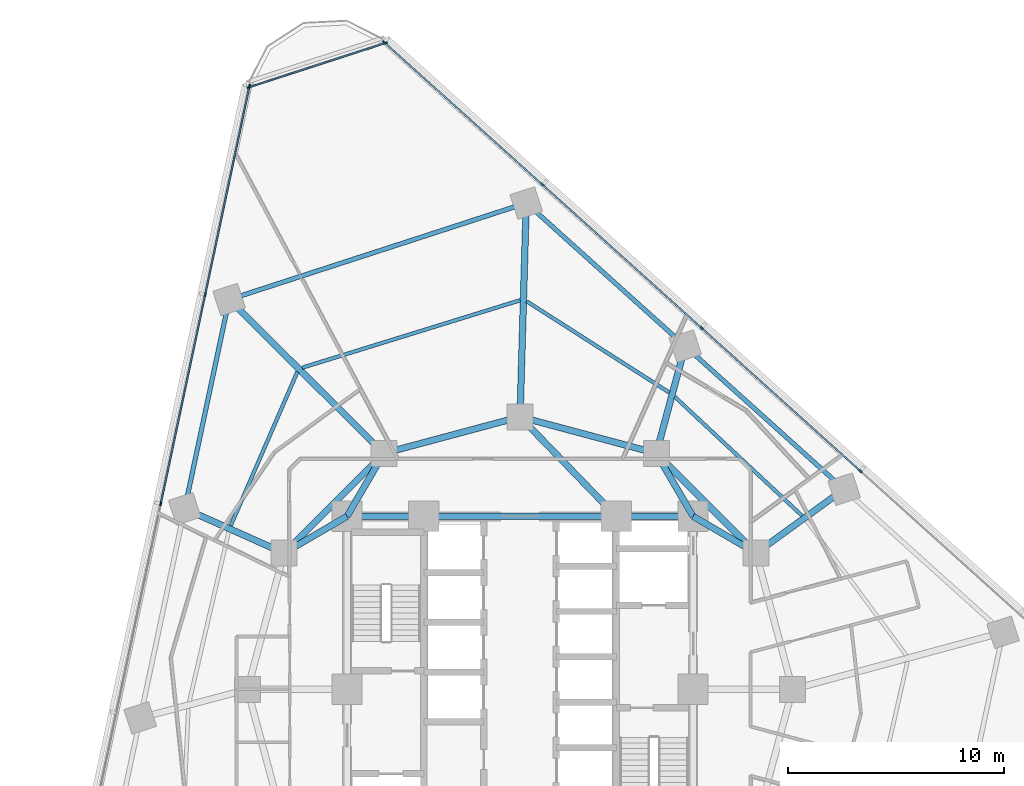
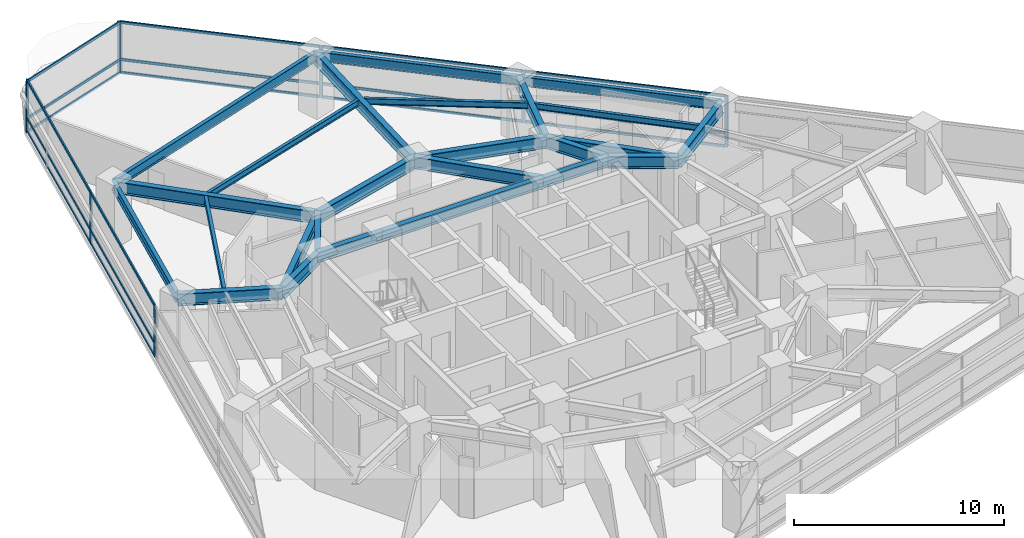
# One storey, part 5 of 13: 27 members, 25 beams, 3 elements without a shape of their own.
"""IFC4 building model written with IfcOpenShell, lengths in metres."""

from ifc_helpers import new_model, si_unit, direction, frame, origin, origin_2d, place, context, subcontext, project, spatial, rectangle, i_section, extrude, material, layer, layer_set, material_profile, profile_set, type_object, element, aggregate, save


model = new_model("IFC4")

# Units and contexts
model_context = context("Model", 3, precision=1e-05, world=origin(), true_north=direction((0.0, 1.0)))
body_context = subcontext(model_context, "Body", "Model", "MODEL_VIEW")
ifc_project = project(units=[si_unit("LENGTHUNIT", "METRE"), si_unit("AREAUNIT", "SQUARE_METRE"), si_unit("VOLUMEUNIT", "CUBIC_METRE"), si_unit("PLANEANGLEUNIT", "RADIAN"), si_unit("MASSUNIT", "GRAM", prefix="KILO")], contexts=[model_context])

# Site, building, storey
site_placement = place(None, origin())
site = spatial("IfcSite", under=ifc_project, at=site_placement, CompositionType="ELEMENT")
building_placement = place(site_placement, origin())
building = spatial("IfcBuilding", under=site, at=building_placement, Name="Terralouvre Media Tower", CompositionType="ELEMENT")
storey_placement = place(building_placement, frame((0.0, 0.0, 108.800048828125)))
storey = spatial("IfcBuildingStorey", under=building, at=storey_placement, Name="L27", CompositionType="ELEMENT", Elevation=108.800048828125)

# Beams
ifc_material_1 = material(Name="Structural steel S355J2", Category="steel")
ifc_material_profile_1 = material_profile(ifc_material_1, i_section(OverallWidth=0.169921875, OverallDepth=0.360107421875, WebThickness=0.008056640625, FlangeThickness=0.0126953125, at=origin_2d()), Name="IPE 360")
ifc_profile_set_1 = profile_set([ifc_material_profile_1], Name="Structural steel S355J2")
beam_type_1 = type_object("IfcBeamType", Name="Composite Floor Joist J-IPE360 (IPE 360)", PredefinedType="JOIST", material=ifc_profile_set_1)
beam_1_placement = place(storey_placement, frame((13.041259765625, 8.02685546875, 3.320068359375), z_axis=(-0.730741620607, 0.682654146631, 0.0), x_axis=(-0.682654146631, -0.730741620607, 0.0)))
element("IfcBeam", 1, at=beam_1_placement, inside=storey, type_object=beam_type_1, Name="L27 Framing Beam JT-L27-08", PredefinedType="JOIST", context=body_context, shape_type="SweptSolid", body=[
    extrude(i_section(OverallWidth=0.169921875, OverallDepth=0.360107421875, WebThickness=0.008056640625, FlangeThickness=0.0126953125, at=origin_2d()), origin(), (0.0, 0.0, 1.0), 8.05224609375),
])
beam_2_placement = place(storey_placement, frame((6.90380859375, 13.721923828125, 3.320068359375), z_axis=(-0.842395313358, 0.538860033805, 0.0), x_axis=(-0.538860033805, -0.842395313358, 0.0)))
element("IfcBeam", 2, at=beam_2_placement, inside=storey, type_object=beam_type_1, Name="L27 Framing Beam JT-L27-09", PredefinedType="JOIST", context=body_context, shape_type="SweptSolid", body=[
    extrude(i_section(OverallWidth=0.169921875, OverallDepth=0.360107421875, WebThickness=0.008056640625, FlangeThickness=0.0126953125, at=origin_2d()), origin(), (0.0, 0.0, 1.0), 7.8349609375),
])
beam_3_placement = place(storey_placement, frame((0.008544921875, 17.99072265625, 3.320068359375), z_axis=(-0.955322607301, -0.295565079095, 0.0), x_axis=(0.295565079095, -0.955322607301, 0.0)))
element("IfcBeam", 3, at=beam_3_placement, inside=storey, type_object=beam_type_1, Name="L27 Framing Beam JT-L27-10", PredefinedType="JOIST", context=body_context, shape_type="SweptSolid", body=[
    extrude(i_section(OverallWidth=0.169921875, OverallDepth=0.360107421875, WebThickness=0.008056640625, FlangeThickness=0.0126953125, at=origin_2d()), origin(), (0.0, 0.0, 1.0), 10.551513671875),
])
beam_4_placement = place(storey_placement, frame((-10.295166015625, 14.676513671875, 3.320068359375), z_axis=(-0.3977895236, -0.91747669993, 0.0), x_axis=(0.91747669993, -0.3977895236, 0.0)))
element("IfcBeam", 4, at=beam_4_placement, inside=storey, type_object=beam_type_1, Name="L27 Framing Beam JT-L27-11", PredefinedType="JOIST", context=body_context, shape_type="SweptSolid", body=[
    extrude(i_section(OverallWidth=0.169921875, OverallDepth=0.360107421875, WebThickness=0.008056640625, FlangeThickness=0.0126953125, at=origin_2d()), origin(), (0.0, 0.0, 1.0), 7.7509765625),
])

# Curtain wall, members
ifc_material_2 = material(Name="Low-iron laminated double glazing with solar-control coating", Category="glass")
ifc_layer_1 = layer(ifc_material_2, 0.1650390625, Name="Lower Media Tower Unitised Curtain Wall CW-02")
ifc_layer_set_1 = layer_set([ifc_layer_1], Name="Low-iron laminated double glazing with solar-control coating")
curtain_wall_type_1 = type_object("IfcCurtainWallType", Name="Lower Media Tower Unitised Curtain Wall CW-02", PredefinedType="NOTDEFINED", material=ifc_layer_set_1)
curtain_wall_1_placement = place(storey_placement, origin())
curtain_wall_1 = element("IfcCurtainWall", 5, at=curtain_wall_1_placement, inside=storey, type_object=curtain_wall_type_1, Name="L27 Facade Curtain Wall F1", PredefinedType="NOTDEFINED")
ifc_material_3 = material(Name="Anodised extruded aluminium 6063-T6", Category="aluminium")
ifc_material_profile_2 = material_profile(ifc_material_3, rectangle(XDim=0.074951171875, YDim=0.14990234375, at=origin_2d()), Name="ALU 75x150")
ifc_profile_set_2 = profile_set([ifc_material_profile_2], Name="Anodised extruded aluminium 6063-T6")
member_type_1 = type_object("IfcMemberType", Name="Curtain-Wall Horizontal Transom TR-150", PredefinedType="USERDEFINED", material=ifc_profile_set_2)
member_1_placement = place(storey_placement, frame((15.712158203125, 10.117431640625, 0.037353515625), z_axis=(-0.743145676677, 0.669129661005, 0.0), x_axis=(-0.669129661005, -0.743145676677, 0.0)))
member_1 = element("IfcMember", 6, at=member_1_placement, type_object=member_type_1, Name="CW-02 transom 3.1", ObjectType="TRANSOM", PredefinedType="USERDEFINED", context=body_context, shape_type="SweptSolid", body=[
    extrude(rectangle(XDim=0.074951171875, YDim=0.14990234375, at=origin_2d()), origin(), (0.0, 0.0, 1.0), 9.81298828125),
])
member_2_placement = place(storey_placement, frame((15.712158203125, 10.117431640625, 0.800048828125), z_axis=(-0.743145676677, 0.669129661005, 0.0), x_axis=(-0.669129661005, -0.743145676677, 0.0)))
member_2 = element("IfcMember", 7, at=member_2_placement, type_object=member_type_1, Name="CW-02 transom 3.2", ObjectType="TRANSOM", PredefinedType="USERDEFINED", context=body_context, shape_type="SweptSolid", body=[
    extrude(rectangle(XDim=0.074951171875, YDim=0.14990234375, at=origin_2d()), origin(), (0.0, 0.0, 1.0), 9.81298828125),
])
member_3_placement = place(storey_placement, frame((15.712158203125, 10.117431640625, 2.96240234375), z_axis=(-0.743145676677, 0.669129661005, 0.0), x_axis=(-0.669129661005, -0.743145676677, 0.0)))
member_3 = element("IfcMember", 8, at=member_3_placement, type_object=member_type_1, Name="CW-02 transom 3.3", ObjectType="TRANSOM", PredefinedType="USERDEFINED", context=body_context, shape_type="SweptSolid", body=[
    extrude(rectangle(XDim=0.074951171875, YDim=0.14990234375, at=origin_2d()), origin(), (0.0, 0.0, 1.0), 9.81298828125),
])
member_4_placement = place(storey_placement, frame((8.36376953125, 16.733642578125, 0.037353515625), z_axis=(-0.743145676677, 0.669129661005, 0.0), x_axis=(-0.669129661005, -0.743145676677, 0.0)))
member_4 = element("IfcMember", 9, at=member_4_placement, type_object=member_type_1, Name="CW-02 transom 4.1", ObjectType="TRANSOM", PredefinedType="USERDEFINED", context=body_context, shape_type="SweptSolid", body=[
    extrude(rectangle(XDim=0.074951171875, YDim=0.14990234375, at=origin_2d()), origin(), (0.0, 0.0, 1.0), 9.81298828125),
])
member_5_placement = place(storey_placement, frame((8.36376953125, 16.733642578125, 0.800048828125), z_axis=(-0.743145676677, 0.669129661005, 0.0), x_axis=(-0.669129661005, -0.743145676677, 0.0)))
member_5 = element("IfcMember", 10, at=member_5_placement, type_object=member_type_1, Name="CW-02 transom 4.2", ObjectType="TRANSOM", PredefinedType="USERDEFINED", context=body_context, shape_type="SweptSolid", body=[
    extrude(rectangle(XDim=0.074951171875, YDim=0.14990234375, at=origin_2d()), origin(), (0.0, 0.0, 1.0), 9.81298828125),
])
member_6_placement = place(storey_placement, frame((8.36376953125, 16.733642578125, 2.96240234375), z_axis=(-0.743145676677, 0.669129661005, 0.0), x_axis=(-0.669129661005, -0.743145676677, 0.0)))
member_6 = element("IfcMember", 11, at=member_6_placement, type_object=member_type_1, Name="CW-02 transom 4.3", ObjectType="TRANSOM", PredefinedType="USERDEFINED", context=body_context, shape_type="SweptSolid", body=[
    extrude(rectangle(XDim=0.074951171875, YDim=0.14990234375, at=origin_2d()), origin(), (0.0, 0.0, 1.0), 9.81298828125),
])
member_7_placement = place(storey_placement, frame((1.015625, 23.35009765625, 0.037353515625), z_axis=(-0.743150075485, 0.669124775588, 0.0), x_axis=(-0.669124775588, -0.743150075485, 0.0)))
member_7 = element("IfcMember", 12, at=member_7_placement, type_object=member_type_1, Name="CW-02 transom 5.1", ObjectType="TRANSOM", PredefinedType="USERDEFINED", context=body_context, shape_type="SweptSolid", body=[
    extrude(rectangle(XDim=0.074951171875, YDim=0.14990234375, at=origin_2d()), origin(), (0.0, 0.0, 1.0), 9.775390625),
])
member_8_placement = place(storey_placement, frame((1.015625, 23.35009765625, 0.800048828125), z_axis=(-0.743150075485, 0.669124775588, 0.0), x_axis=(-0.669124775588, -0.743150075485, 0.0)))
member_8 = element("IfcMember", 13, at=member_8_placement, type_object=member_type_1, Name="CW-02 transom 5.2", ObjectType="TRANSOM", PredefinedType="USERDEFINED", context=body_context, shape_type="SweptSolid", body=[
    extrude(rectangle(XDim=0.074951171875, YDim=0.14990234375, at=origin_2d()), origin(), (0.0, 0.0, 1.0), 9.775390625),
])
member_9_placement = place(storey_placement, frame((1.015625, 23.35009765625, 2.96240234375), z_axis=(-0.743150075485, 0.669124775588, 0.0), x_axis=(-0.669124775588, -0.743150075485, 0.0)))
member_9 = element("IfcMember", 14, at=member_9_placement, type_object=member_type_1, Name="CW-02 transom 5.3", ObjectType="TRANSOM", PredefinedType="USERDEFINED", context=body_context, shape_type="SweptSolid", body=[
    extrude(rectangle(XDim=0.074951171875, YDim=0.14990234375, at=origin_2d()), origin(), (0.0, 0.0, 1.0), 9.775390625),
])

curtain_wall_2_placement = place(storey_placement, origin())
curtain_wall_2 = element("IfcCurtainWall", 15, at=curtain_wall_2_placement, inside=storey, type_object=curtain_wall_type_1, Name="L27 Facade Curtain Wall F2", PredefinedType="NOTDEFINED")
member_10_placement = place(storey_placement, frame((-12.51416015625, 27.85546875, 0.037353515625), z_axis=(-0.207917001862, -0.978146471821, 0.0), x_axis=(0.978146471821, -0.207917001862, 0.0)))
member_10 = element("IfcMember", 16, at=member_10_placement, type_object=member_type_1, Name="CW-02 transom 1.1", ObjectType="TRANSOM", PredefinedType="USERDEFINED", context=body_context, shape_type="SweptSolid", body=[
    extrude(rectangle(XDim=0.074951171875, YDim=0.14990234375, at=origin_2d()), origin(), (0.0, 0.0, 1.0), 9.775390625),
])
member_11_placement = place(storey_placement, frame((-12.51416015625, 27.85546875, 0.800048828125), z_axis=(-0.207917001862, -0.978146471821, 0.0), x_axis=(0.978146471821, -0.207917001862, 0.0)))
member_11 = element("IfcMember", 17, at=member_11_placement, type_object=member_type_1, Name="CW-02 transom 1.2", ObjectType="TRANSOM", PredefinedType="USERDEFINED", context=body_context, shape_type="SweptSolid", body=[
    extrude(rectangle(XDim=0.074951171875, YDim=0.14990234375, at=origin_2d()), origin(), (0.0, 0.0, 1.0), 9.775390625),
])
member_12_placement = place(storey_placement, frame((-12.51416015625, 27.85546875, 2.96240234375), z_axis=(-0.207917001862, -0.978146471821, 0.0), x_axis=(0.978146471821, -0.207917001862, 0.0)))
member_12 = element("IfcMember", 18, at=member_12_placement, type_object=member_type_1, Name="CW-02 transom 1.3", ObjectType="TRANSOM", PredefinedType="USERDEFINED", context=body_context, shape_type="SweptSolid", body=[
    extrude(rectangle(XDim=0.074951171875, YDim=0.14990234375, at=origin_2d()), origin(), (0.0, 0.0, 1.0), 9.775390625),
])
member_13_placement = place(storey_placement, frame((-14.56201171875, 18.22021484375, 0.037353515625), z_axis=(-0.207919755159, -0.97814588657, 0.0), x_axis=(0.97814588657, -0.207919755159, 0.0)))
member_13 = element("IfcMember", 19, at=member_13_placement, type_object=member_type_1, Name="CW-02 transom 2.1", ObjectType="TRANSOM", PredefinedType="USERDEFINED", context=body_context, shape_type="SweptSolid", body=[
    extrude(rectangle(XDim=0.074951171875, YDim=0.14990234375, at=origin_2d()), origin(), (0.0, 0.0, 1.0), 9.812744140625),
])
member_14_placement = place(storey_placement, frame((-14.56201171875, 18.22021484375, 0.800048828125), z_axis=(-0.207919755159, -0.97814588657, 0.0), x_axis=(0.97814588657, -0.207919755159, 0.0)))
member_14 = element("IfcMember", 20, at=member_14_placement, type_object=member_type_1, Name="CW-02 transom 2.2", ObjectType="TRANSOM", PredefinedType="USERDEFINED", context=body_context, shape_type="SweptSolid", body=[
    extrude(rectangle(XDim=0.074951171875, YDim=0.14990234375, at=origin_2d()), origin(), (0.0, 0.0, 1.0), 9.812744140625),
])
member_15_placement = place(storey_placement, frame((-14.56201171875, 18.22021484375, 2.96240234375), z_axis=(-0.207919755159, -0.97814588657, 0.0), x_axis=(0.97814588657, -0.207919755159, 0.0)))
member_15 = element("IfcMember", 21, at=member_15_placement, type_object=member_type_1, Name="CW-02 transom 2.3", ObjectType="TRANSOM", PredefinedType="USERDEFINED", context=body_context, shape_type="SweptSolid", body=[
    extrude(rectangle(XDim=0.074951171875, YDim=0.14990234375, at=origin_2d()), origin(), (0.0, 0.0, 1.0), 9.812744140625),
])

ifc_material_4 = material(Name="Low-iron laminated double glazing with solar-control coating", Category="glass")
ifc_layer_2 = layer(ifc_material_4, 0.1650390625, Name="Rounded Wind-Corner Curved Glazing CW-04")
ifc_layer_set_2 = layer_set([ifc_layer_2], Name="Low-iron laminated double glazing with solar-control coating")
curtain_wall_type_2 = type_object("IfcCurtainWallType", Name="Rounded Wind-Corner Curved Glazing CW-04", PredefinedType="NOTDEFINED", material=ifc_layer_set_2)
curtain_wall_3_placement = place(storey_placement, origin())
curtain_wall_3 = element("IfcCurtainWall", 22, at=curtain_wall_3_placement, inside=storey, type_object=curtain_wall_type_2, Name="L27 Rounded Wind-Corner Curtain Wall C2", PredefinedType="NOTDEFINED")
member_16_placement = place(storey_placement, frame((-6.25244140625, 29.874267578125, 0.037353515625), z_axis=(-0.951049086089, -0.309039861262, 0.0), x_axis=(0.309039861262, -0.951049086089, 0.0)))
member_16 = element("IfcMember", 23, at=member_16_placement, type_object=member_type_1, Name="CW-04 transom 1.1", ObjectType="TRANSOM", PredefinedType="USERDEFINED", context=body_context, shape_type="SweptSolid", body=[
    extrude(rectangle(XDim=0.074951171875, YDim=0.14990234375, at=origin_2d()), origin(), (0.0, 0.0, 1.0), 6.5703125),
])
member_17_placement = place(storey_placement, frame((-6.25244140625, 29.874267578125, 0.800048828125), z_axis=(-0.951049086089, -0.309039861262, 0.0), x_axis=(0.309039861262, -0.951049086089, 0.0)))
member_17 = element("IfcMember", 24, at=member_17_placement, type_object=member_type_1, Name="CW-04 transom 1.2", ObjectType="TRANSOM", PredefinedType="USERDEFINED", context=body_context, shape_type="SweptSolid", body=[
    extrude(rectangle(XDim=0.074951171875, YDim=0.14990234375, at=origin_2d()), origin(), (0.0, 0.0, 1.0), 6.5703125),
])
member_18_placement = place(storey_placement, frame((-6.25244140625, 29.874267578125, 2.96240234375), z_axis=(-0.951049086089, -0.309039861262, 0.0), x_axis=(0.309039861262, -0.951049086089, 0.0)))
member_18 = element("IfcMember", 25, at=member_18_placement, type_object=member_type_1, Name="CW-04 transom 1.3", ObjectType="TRANSOM", PredefinedType="USERDEFINED", context=body_context, shape_type="SweptSolid", body=[
    extrude(rectangle(XDim=0.074951171875, YDim=0.14990234375, at=origin_2d()), origin(), (0.0, 0.0, 1.0), 6.5703125),
])

# Member
ifc_material_5 = material(Name="Anodised extruded aluminium 6063-T6", Category="aluminium")
ifc_material_profile_3 = material_profile(ifc_material_5, rectangle(XDim=0.074951171875, YDim=0.179931640625, at=origin_2d()), Name="ALU 75x180")
ifc_profile_set_3 = profile_set([ifc_material_profile_3], Name="Anodised extruded aluminium 6063-T6")
member_type_2 = type_object("IfcMemberType", Name="Curtain-Wall Vertical Mullion ML-180", PredefinedType="MULLION", material=ifc_profile_set_3)
member_19_placement = place(storey_placement, frame((15.739990234375, 10.09228515625, 0.0), z_axis=(0.0, 0.0, 1.0), x_axis=(-0.669130639602, -0.743144795545, 0.0)))
member_19 = element("IfcMember", 26, at=member_19_placement, type_object=member_type_2, Name="CW-02 mullion 3", PredefinedType="MULLION", context=body_context, shape_type="SweptSolid", body=[
    extrude(rectangle(XDim=0.074951171875, YDim=0.179931640625, at=origin_2d()), origin(), (0.0, 0.0, 1.0), 3.0),
])

member_20_placement = place(storey_placement, frame((8.3916015625, 16.708740234375, 0.0), z_axis=(0.0, 0.0, 1.0), x_axis=(-0.669130639602, -0.743144795545, 0.0)))
member_20 = element("IfcMember", 27, at=member_20_placement, type_object=member_type_2, Name="CW-02 mullion 4", PredefinedType="MULLION", context=body_context, shape_type="SweptSolid", body=[
    extrude(rectangle(XDim=0.074951171875, YDim=0.179931640625, at=origin_2d()), origin(), (0.0, 0.0, 1.0), 3.0),
])

member_21_placement = place(storey_placement, frame((1.04345703125, 23.324951171875, 0.0), z_axis=(0.0, 0.0, 1.0), x_axis=(-0.669130639602, -0.743144795545, 0.0)))
member_21 = element("IfcMember", 28, at=member_21_placement, type_object=member_type_2, Name="CW-02 mullion 5", PredefinedType="MULLION", context=body_context, shape_type="SweptSolid", body=[
    extrude(rectangle(XDim=0.074951171875, YDim=0.179931640625, at=origin_2d()), origin(), (0.0, 0.0, 1.0), 3.0),
])

member_22_placement = place(storey_placement, frame((-6.27685546875, 29.916259765625, 0.0), z_axis=(0.0, 0.0, 1.0), x_axis=(-0.669130639602, -0.743144795545, 0.0)))
member_22 = element("IfcMember", 29, at=member_22_placement, type_object=member_type_2, Name="CW-02 mullion 6", PredefinedType="MULLION", context=body_context, shape_type="SweptSolid", body=[
    extrude(rectangle(XDim=0.074951171875, YDim=0.179931640625, at=origin_2d()), origin(), (0.0, 0.0, 1.0), 3.0),
])

aggregate(curtain_wall_1, [member_19, member_20, member_21, member_22, member_1, member_2, member_3, member_4, member_5, member_6, member_7, member_8, member_9])

member_23_placement = place(storey_placement, frame((-12.50634765625, 27.89208984375, 0.0), z_axis=(0.0, 0.0, 1.0), x_axis=(0.978147610709, -0.207911643887, 0.0)))
member_23 = element("IfcMember", 30, at=member_23_placement, type_object=member_type_2, Name="CW-02 mullion 1", PredefinedType="MULLION", context=body_context, shape_type="SweptSolid", body=[
    extrude(rectangle(XDim=0.074951171875, YDim=0.179931640625, at=origin_2d()), origin(), (0.0, 0.0, 1.0), 3.0),
])

member_24_placement = place(storey_placement, frame((-14.55419921875, 18.257080078125, 0.0), z_axis=(0.0, 0.0, 1.0), x_axis=(0.978147610709, -0.207911643887, 0.0)))
member_24 = element("IfcMember", 31, at=member_24_placement, type_object=member_type_2, Name="CW-02 mullion 2", PredefinedType="MULLION", context=body_context, shape_type="SweptSolid", body=[
    extrude(rectangle(XDim=0.074951171875, YDim=0.179931640625, at=origin_2d()), origin(), (0.0, 0.0, 1.0), 3.0),
])

member_25_placement = place(storey_placement, frame((-16.610107421875, 8.5849609375, 0.0), z_axis=(0.0, 0.0, 1.0), x_axis=(0.978147610709, -0.207911643887, 0.0)))
member_25 = element("IfcMember", 32, at=member_25_placement, type_object=member_type_2, Name="CW-02 mullion 3", PredefinedType="MULLION", context=body_context, shape_type="SweptSolid", body=[
    extrude(rectangle(XDim=0.074951171875, YDim=0.179931640625, at=origin_2d()), origin(), (0.0, 0.0, 1.0), 3.0),
])

aggregate(curtain_wall_2, [member_23, member_24, member_25, member_10, member_11, member_12, member_13, member_14, member_15])

member_26_placement = place(storey_placement, frame((-6.216796875, 29.8857421875, 0.0), z_axis=(0.0, 0.0, 1.0), x_axis=(0.309017701894, -0.951056286408, 0.0)))
member_26 = element("IfcMember", 33, at=member_26_placement, type_object=member_type_2, Name="CW-04 mullion 1", PredefinedType="MULLION", context=body_context, shape_type="SweptSolid", body=[
    extrude(rectangle(XDim=0.074951171875, YDim=0.179931640625, at=origin_2d()), origin(), (0.0, 0.0, 1.0), 3.0),
])

member_27_placement = place(storey_placement, frame((-12.536865234375, 27.832275390625, 0.0), z_axis=(0.0, 0.0, 1.0), x_axis=(0.309017701894, -0.951056286408, 0.0)))
member_27 = element("IfcMember", 34, at=member_27_placement, type_object=member_type_2, Name="CW-04 mullion 2", PredefinedType="MULLION", context=body_context, shape_type="SweptSolid", body=[
    extrude(rectangle(XDim=0.074951171875, YDim=0.179931640625, at=origin_2d()), origin(), (0.0, 0.0, 1.0), 3.0),
])

aggregate(curtain_wall_3, [member_26, member_27, member_16, member_17, member_18])

# Beams
ifc_material_6 = material(Name="Structural steel S355J2", Category="steel")
ifc_material_profile_4 = material_profile(ifc_material_6, i_section(OverallWidth=0.2099609375, OverallDepth=0.550048828125, WebThickness=0.010986328125, FlangeThickness=0.01708984375, at=origin_2d()), Name="IPE 550")
ifc_profile_set_4 = profile_set([ifc_material_profile_4], Name="Structural steel S355J2")
beam_type_2 = type_object("IfcBeamType", Name="Perimeter Spandrel Beam SPB-550 (IPE 550)", PredefinedType="SPANDREL", material=ifc_profile_set_4)
beam_5_placement = place(storey_placement, frame((14.98388671875, 9.25244140625, 3.224853515625), z_axis=(-0.743148033922, 0.669127043002, 0.0), x_axis=(-0.669127043002, -0.743148033922, 0.0)))
element("IfcBeam", 35, at=beam_5_placement, inside=storey, type_object=beam_type_2, Name="L27 Framing Beam BM-L27-PR08", PredefinedType="SPANDREL", context=body_context, shape_type="SweptSolid", body=[
    extrude(i_section(OverallWidth=0.2099609375, OverallDepth=0.550048828125, WebThickness=0.010986328125, FlangeThickness=0.01708984375, at=origin_2d()), origin(), (0.0, 0.0, 1.0), 9.88818359375),
])
beam_6_placement = place(storey_placement, frame((7.635498046875, 15.868896484375, 3.224853515625), z_axis=(-0.743136979084, 0.669139320558, 0.0), x_axis=(-0.669139320558, -0.743136979084, 0.0)))
element("IfcBeam", 36, at=beam_6_placement, inside=storey, type_object=beam_type_2, Name="L27 Framing Beam BM-L27-PR09", PredefinedType="SPANDREL", context=body_context, shape_type="SweptSolid", body=[
    extrude(i_section(OverallWidth=0.2099609375, OverallDepth=0.550048828125, WebThickness=0.010986328125, FlangeThickness=0.01708984375, at=origin_2d()), origin(), (0.0, 0.0, 1.0), 9.887939453125),
])
beam_7_placement = place(storey_placement, frame((0.287353515625, 22.4853515625, 3.224853515625), z_axis=(-0.951052948313, -0.309027975278, 0.0), x_axis=(0.309027975278, -0.951052948313, 0.0)))
element("IfcBeam", 37, at=beam_7_placement, inside=storey, type_object=beam_type_2, Name="L27 Framing Beam BM-L27-PR10", PredefinedType="SPANDREL", context=body_context, shape_type="SweptSolid", body=[
    extrude(i_section(OverallWidth=0.2099609375, OverallDepth=0.550048828125, WebThickness=0.010986328125, FlangeThickness=0.01708984375, at=origin_2d()), origin(), (0.0, 0.0, 1.0), 14.443359375),
])
beam_8_placement = place(storey_placement, frame((-13.448974609375, 18.02197265625, 3.224853515625), z_axis=(-0.207920177572, -0.97814579678, 0.0), x_axis=(0.97814579678, -0.207920177572, 0.0)))
element("IfcBeam", 38, at=beam_8_placement, inside=storey, type_object=beam_type_2, Name="L27 Framing Beam BM-L27-PR11", PredefinedType="SPANDREL", context=body_context, shape_type="SweptSolid", body=[
    extrude(i_section(OverallWidth=0.2099609375, OverallDepth=0.550048828125, WebThickness=0.010986328125, FlangeThickness=0.01708984375, at=origin_2d()), origin(), (0.0, 0.0, 1.0), 9.887939453125),
])
ifc_material_7 = material(Name="Structural steel S460M", Category="steel")
ifc_material_profile_5 = material_profile(ifc_material_7, i_section(OverallWidth=0.300048828125, OverallDepth=0.60009765625, WebThickness=0.015380859375, FlangeThickness=0.030029296875, at=origin_2d()), Name="HEB 600")
ifc_profile_set_5 = profile_set([ifc_material_profile_5], Name="Structural steel S460M")
beam_type_3 = type_object("IfcBeamType", Name="Primary Floor Girder B-HEB600 (HEB 600)", PredefinedType="BEAM", material=ifc_profile_set_5)
beam_9_placement = place(storey_placement, frame((8.0, 8.0, 3.199951171875), z_axis=(-1.0, 0.0, 0.0), x_axis=(0.0, -1.0, 0.0)))
element("IfcBeam", 39, at=beam_9_placement, inside=storey, type_object=beam_type_3, Name="L27 Framing Beam BM-L27-CPR06", PredefinedType="BEAM", context=body_context, shape_type="SweptSolid", body=[
    extrude(i_section(OverallWidth=0.300048828125, OverallDepth=0.60009765625, WebThickness=0.015380859375, FlangeThickness=0.030029296875, at=origin_2d()), origin(), (0.0, 0.0, 1.0), 3.550048828125),
])
beam_10_placement = place(storey_placement, frame((4.449951171875, 8.0, 3.199951171875), z_axis=(-1.0, 0.0, 0.0), x_axis=(0.0, -1.0, 0.0)))
element("IfcBeam", 40, at=beam_10_placement, inside=storey, type_object=beam_type_3, Name="L27 Framing Beam BM-L27-CPR07", PredefinedType="BEAM", context=body_context, shape_type="SweptSolid", body=[
    extrude(i_section(OverallWidth=0.300048828125, OverallDepth=0.60009765625, WebThickness=0.015380859375, FlangeThickness=0.030029296875, at=origin_2d()), origin(), (0.0, 0.0, 1.0), 8.89990234375),
])
beam_11_placement = place(storey_placement, frame((-4.449951171875, 8.0, 3.199951171875), z_axis=(-1.0, 0.0, 0.0), x_axis=(0.0, -1.0, 0.0)))
element("IfcBeam", 41, at=beam_11_placement, inside=storey, type_object=beam_type_3, Name="L27 Framing Beam BM-L27-CPR08", PredefinedType="BEAM", context=body_context, shape_type="SweptSolid", body=[
    extrude(i_section(OverallWidth=0.300048828125, OverallDepth=0.60009765625, WebThickness=0.015380859375, FlangeThickness=0.030029296875, at=origin_2d()), origin(), (0.0, 0.0, 1.0), 3.550048828125),
])
ifc_material_8 = material(Name="Structural steel S460M", Category="steel")
ifc_material_profile_6 = material_profile(ifc_material_8, i_section(OverallWidth=0.300048828125, OverallDepth=0.699951171875, WebThickness=0.01708984375, FlangeThickness=0.031982421875, at=origin_2d()), Name="HEB 700")
ifc_profile_set_6 = profile_set([ifc_material_profile_6], Name="Structural steel S460M")
beam_type_4 = type_object("IfcBeamType", Name="Primary Floor Girder B-HEB700 (HEB 700)", PredefinedType="BEAM", material=ifc_profile_set_6)
beam_12_placement = place(storey_placement, frame((10.911865234375, 6.300048828125, 3.14990234375), z_axis=(-0.707106781187, 0.707106781187, 0.0), x_axis=(-0.707106781187, -0.707106781187, 0.0)))
element("IfcBeam", 42, at=beam_12_placement, inside=storey, type_object=beam_type_4, Name="L27 Framing Beam BM-L27-MR07", PredefinedType="BEAM", context=body_context, shape_type="SweptSolid", body=[
    extrude(i_section(OverallWidth=0.300048828125, OverallDepth=0.699951171875, WebThickness=0.01708984375, FlangeThickness=0.031982421875, at=origin_2d()), origin(), (0.0, 0.0, 1.0), 6.52197265625),
])
for number, where, z_axis, x_axis, name in (
    (43, (6.300048828125, 10.911865234375, 3.14990234375), (-0.965920481897, 0.258838989821, 0.0), (-0.258838989821, -0.965920481897, 0.0), "L27 Framing Beam BM-L27-MR08"),
    (44, (0.0, 12.60009765625, 3.14990234375), (-0.965920481897, -0.258838989821, 0.0), (0.258838989821, -0.965920481897, 0.0), "L27 Framing Beam BM-L27-MR09"),
):
    element("IfcBeam", number, at=place(storey_placement, frame(where, z_axis=z_axis, x_axis=x_axis)), inside=storey, type_object=beam_type_4, Name=name, PredefinedType="BEAM", context=body_context, shape_type="SweptSolid", body=[
        extrude(i_section(OverallWidth=0.300048828125, OverallDepth=0.699951171875, WebThickness=0.01708984375, FlangeThickness=0.031982421875, at=origin_2d()), origin(), (0.0, 0.0, 1.0), 6.522216796875),
    ])
beam_13_placement = place(storey_placement, frame((-6.300048828125, 10.911865234375, 3.14990234375), z_axis=(-0.707106781187, -0.707106781187, 0.0), x_axis=(0.707106781187, -0.707106781187, 0.0)))
element("IfcBeam", 45, at=beam_13_placement, inside=storey, type_object=beam_type_4, Name="L27 Framing Beam BM-L27-MR10", PredefinedType="BEAM", context=body_context, shape_type="SweptSolid", body=[
    extrude(i_section(OverallWidth=0.300048828125, OverallDepth=0.699951171875, WebThickness=0.01708984375, FlangeThickness=0.031982421875, at=origin_2d()), origin(), (0.0, 0.0, 1.0), 6.52197265625),
])
for number, where, z_axis, x_axis, name in (
    (46, (8.0, 8.0, 3.14990234375), (0.863602894532, -0.504172629717, 0.0), (0.504172629717, 0.863602894532, 0.0), "L27 Framing Beam BM-L27-CM07"),
    (47, (8.0, 8.0, 3.14990234375), (-0.504172629717, 0.863602894532, 0.0), (-0.863602894532, -0.504172629717, 0.0), "L27 Framing Beam BM-L27-CM08"),
):
    element("IfcBeam", number, at=place(storey_placement, frame(where, z_axis=z_axis, x_axis=x_axis)), inside=storey, type_object=beam_type_4, Name=name, PredefinedType="BEAM", context=body_context, shape_type="SweptSolid", body=[
        extrude(i_section(OverallWidth=0.300048828125, OverallDepth=0.699951171875, WebThickness=0.01708984375, FlangeThickness=0.031982421875, at=origin_2d()), origin(), (0.0, 0.0, 1.0), 3.371826171875),
    ])
beam_14_placement = place(storey_placement, frame((4.449951171875, 8.0, 3.14990234375), z_axis=(-0.695279715726, 0.718739255155, 0.0), x_axis=(-0.718739255155, -0.695279715726, 0.0)))
element("IfcBeam", 48, at=beam_14_placement, inside=storey, type_object=beam_type_4, Name="L27 Framing Beam BM-L27-CM09", PredefinedType="BEAM", context=body_context, shape_type="SweptSolid", body=[
    extrude(i_section(OverallWidth=0.300048828125, OverallDepth=0.699951171875, WebThickness=0.01708984375, FlangeThickness=0.031982421875, at=origin_2d()), origin(), (0.0, 0.0, 1.0), 6.400146484375),
])
for number, where, z_axis, x_axis, name in (
    (49, (-8.0, 8.0, 3.14990234375), (0.504172629717, 0.863602894532, 0.0), (-0.863602894532, 0.504172629717, 0.0), "L27 Framing Beam BM-L27-CM10"),
    (50, (-8.0, 8.0, 3.14990234375), (-0.863602894532, -0.504172629717, 0.0), (0.504172629717, -0.863602894532, 0.0), "L27 Framing Beam BM-L27-CM11"),
):
    element("IfcBeam", number, at=place(storey_placement, frame(where, z_axis=z_axis, x_axis=x_axis)), inside=storey, type_object=beam_type_4, Name=name, PredefinedType="BEAM", context=body_context, shape_type="SweptSolid", body=[
        extrude(i_section(OverallWidth=0.300048828125, OverallDepth=0.699951171875, WebThickness=0.01708984375, FlangeThickness=0.031982421875, at=origin_2d()), origin(), (0.0, 0.0, 1.0), 3.371826171875),
    ])
beam_15_placement = place(storey_placement, frame((10.911865234375, 6.300048828125, 3.14990234375), z_axis=(0.809593719636, 0.586990638022, 0.0), x_axis=(-0.586990638022, 0.809593719636, 0.0)))
element("IfcBeam", 51, at=beam_15_placement, inside=storey, type_object=beam_type_4, Name="L27 Framing Beam BM-L27-RD08", PredefinedType="BEAM", context=body_context, shape_type="SweptSolid", body=[
    extrude(i_section(OverallWidth=0.300048828125, OverallDepth=0.699951171875, WebThickness=0.01708984375, FlangeThickness=0.031982421875, at=origin_2d()), origin(), (0.0, 0.0, 1.0), 5.02978515625),
])
beam_16_placement = place(storey_placement, frame((6.300048828125, 10.911865234375, 3.14990234375), z_axis=(0.260130371447, 0.96557350308, 0.0), x_axis=(-0.96557350308, 0.260130371447, 0.0)))
element("IfcBeam", 52, at=beam_16_placement, inside=storey, type_object=beam_type_4, Name="L27 Framing Beam BM-L27-RD09", PredefinedType="BEAM", context=body_context, shape_type="SweptSolid", body=[
    extrude(i_section(OverallWidth=0.300048828125, OverallDepth=0.699951171875, WebThickness=0.01708984375, FlangeThickness=0.031982421875, at=origin_2d()), origin(), (0.0, 0.0, 1.0), 5.1337890625),
])
beam_17_placement = place(storey_placement, frame((0.0, 12.60009765625, 3.14990234375), z_axis=(0.029056632049, 0.999577766927, 0.0), x_axis=(-0.999577766927, 0.029056632049, 0.0)))
element("IfcBeam", 53, at=beam_17_placement, inside=storey, type_object=beam_type_4, Name="L27 Framing Beam BM-L27-RD10", PredefinedType="BEAM", context=body_context, shape_type="SweptSolid", body=[
    extrude(i_section(OverallWidth=0.300048828125, OverallDepth=0.699951171875, WebThickness=0.01708984375, FlangeThickness=0.031982421875, at=origin_2d()), origin(), (0.0, 0.0, 1.0), 9.889404296875),
])
beam_18_placement = place(storey_placement, frame((-6.300048828125, 10.911865234375, 3.14990234375), z_axis=(-0.709029159826, 0.705179161998, 0.0), x_axis=(-0.705179161998, -0.709029159826, 0.0)))
element("IfcBeam", 54, at=beam_18_placement, inside=storey, type_object=beam_type_4, Name="L27 Framing Beam BM-L27-RD11", PredefinedType="BEAM", context=body_context, shape_type="SweptSolid", body=[
    extrude(i_section(OverallWidth=0.300048828125, OverallDepth=0.699951171875, WebThickness=0.01708984375, FlangeThickness=0.031982421875, at=origin_2d()), origin(), (0.0, 0.0, 1.0), 10.082763671875),
])
beam_19_placement = place(storey_placement, frame((-10.911865234375, 6.300048828125, 3.14990234375), z_axis=(-0.913167886247, 0.407583625196, 0.0), x_axis=(-0.407583625196, -0.913167886247, 0.0)))
element("IfcBeam", 55, at=beam_19_placement, inside=storey, type_object=beam_type_4, Name="L27 Framing Beam BM-L27-RD12", PredefinedType="BEAM", context=body_context, shape_type="SweptSolid", body=[
    extrude(i_section(OverallWidth=0.300048828125, OverallDepth=0.699951171875, WebThickness=0.01708984375, FlangeThickness=0.031982421875, at=origin_2d()), origin(), (0.0, 0.0, 1.0), 5.02978515625),
])

save(model, "model.ifc")
